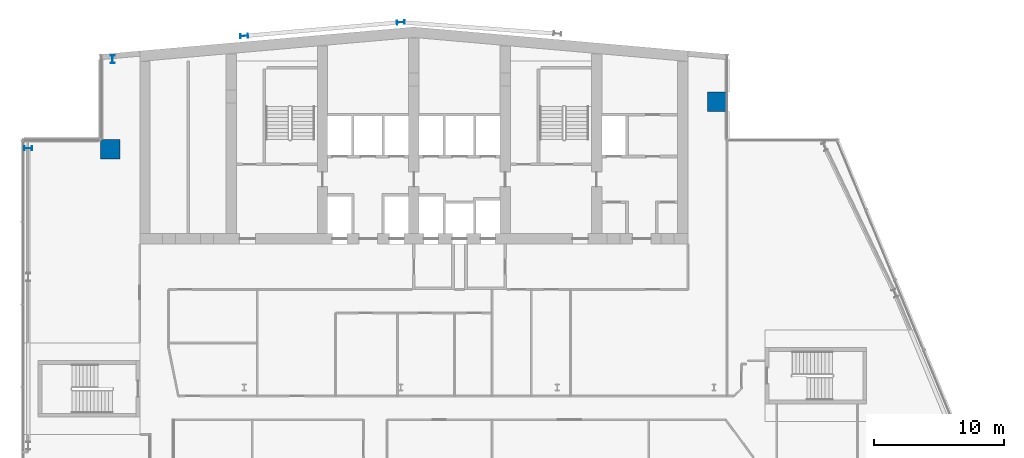
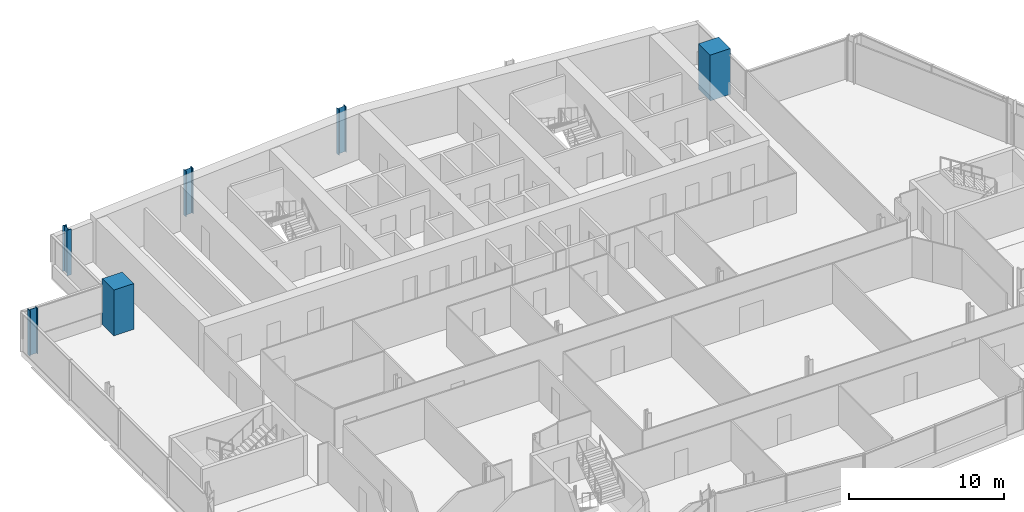
# One storey, part 3 of 24: 6 columns.
"""IFC4 building model written with IfcOpenShell, lengths in metres."""

from ifc_helpers import new_model, si_unit, direction, frame, origin, origin_2d, place, context, subcontext, project, spatial, rectangle, i_section, extrude, material, material_profile, profile_set, type_object, element, save


model = new_model("IFC4")

# Units and contexts
model_context = context("Model", 3, precision=1e-05, world=origin(), true_north=direction((0.0, 1.0)))
body_context = subcontext(model_context, "Body", "Model", "MODEL_VIEW")
ifc_project = project(units=[si_unit("LENGTHUNIT", "METRE"), si_unit("AREAUNIT", "SQUARE_METRE"), si_unit("VOLUMEUNIT", "CUBIC_METRE"), si_unit("PLANEANGLEUNIT", "RADIAN"), si_unit("MASSUNIT", "GRAM", prefix="KILO")], contexts=[model_context])

# Site, building, storey
site_placement = place(None, origin())
site = spatial("IfcSite", under=ifc_project, at=site_placement, CompositionType="ELEMENT")
building_placement = place(site_placement, origin())
building = spatial("IfcBuilding", under=site, at=building_placement, Name="Wharfspan Tower", CompositionType="ELEMENT")
storey_placement = place(building_placement, frame((0.0, 0.0, 198.699951)))
storey = spatial("IfcBuildingStorey", under=building, at=storey_placement, Name="L49", CompositionType="ELEMENT", Elevation=198.699951)

# Columns
ifc_material_1 = material(Name="Steel S355J2", Category="steel")
ifc_material_profile_1 = material_profile(ifc_material_1, i_section(OverallWidth=0.300049, OverallDepth=0.600098, WebThickness=0.015381, FlangeThickness=0.030029, FilletRadius=0.0271, at=origin_2d()))
ifc_profile_set_1 = profile_set([ifc_material_profile_1], Name="Steel S355J2")
column_type_1 = type_object("IfcColumnType", Name="Column HEB 600", PredefinedType="COLUMN", material=ifc_profile_set_1)
for number, where, z_axis, x_axis, name in (
    (1, (24.0, 49.937256, 0.0), (0.0, 0.0, 1.0), (-0.087156, 0.996198, 0.0), "Rear column R.1 L49"),
    (2, (36.0, 50.987061, 0.0), (0.0, 0.0, 1.0), (-0.087156, 0.996198, 0.0), "Rear column R.2 L49"),
):
    element("IfcColumn", number, at=place(storey_placement, frame(where, z_axis=z_axis, x_axis=x_axis)), inside=storey, type_object=column_type_1, Name=name, PredefinedType="COLUMN", context=body_context, shape_type="SweptSolid", body=[
        extrude(i_section(OverallWidth=0.300049, OverallDepth=0.600098, WebThickness=0.015381, FlangeThickness=0.030029, FilletRadius=0.0271, at=origin_2d()), origin(), (0.0, 0.0, 1.0), 3.600098),
    ])
ifc_material_profile_2 = material_profile(ifc_material_1, i_section(OverallWidth=0.304932, OverallDepth=0.620117, WebThickness=0.020996, FlangeThickness=0.040039, FilletRadius=0.0271, at=origin_2d()))
ifc_profile_set_2 = profile_set([ifc_material_profile_2], Name="Steel S355J2")
column_type_2 = type_object("IfcColumnType", Name="Column HEM 600", PredefinedType="COLUMN", material=ifc_profile_set_2)
for number, where, z_axis, x_axis, name in (
    (3, (13.911133, 48.141113, 0.0), (0.0, 0.0, 1.0), (-1.0, 0.0, 0.0), "Perimeter column PNRW-V.1 L49"),
    (4, (7.450439, 41.333008, 0.0), (0.0, 0.0, 1.0), (0.0, 1.0, 0.0), "Perimeter column PNRW-H.1 L49"),
):
    element("IfcColumn", number, at=place(storey_placement, frame(where, z_axis=z_axis, x_axis=x_axis)), inside=storey, type_object=column_type_2, Name=name, PredefinedType="COLUMN", context=body_context, shape_type="SweptSolid", body=[
        extrude(i_section(OverallWidth=0.304932, OverallDepth=0.620117, WebThickness=0.020996, FlangeThickness=0.040039, FilletRadius=0.0271, at=origin_2d()), origin(), (0.0, 0.0, 1.0), 3.600098),
    ])
ifc_material_2 = material(Name="Concrete C60/75", Category="concrete")
ifc_material_profile_3 = material_profile(ifc_material_2, rectangle(XDim=1.5, YDim=1.5, at=origin_2d()))
ifc_profile_set_3 = profile_set([ifc_material_profile_3], Name="Concrete C60/75")
column_type_3 = type_object("IfcColumnType", Name="Mega column 1500 C60/75", PredefinedType="COLUMN", material=ifc_profile_set_3)
for number, where, z_axis, x_axis, name in (
    (5, (13.75, 41.25, 0.0), (0.0, 0.0, 1.0), (1.0, 0.0, 0.0), "Mega column MC2 L49"),
    (6, (60.25, 44.899902, 0.0), (0.0, 0.0, 1.0), (1.0, 0.0, 0.0), "Mega column MC3 L49"),
):
    element("IfcColumn", number, at=place(storey_placement, frame(where, z_axis=z_axis, x_axis=x_axis)), inside=storey, type_object=column_type_3, Name=name, PredefinedType="COLUMN", context=body_context, shape_type="SweptSolid", body=[
        extrude(rectangle(XDim=1.5, YDim=1.5, at=origin_2d()), origin(), (0.0, 0.0, 1.0), 3.600098),
    ])

save(model, "model.ifc")
